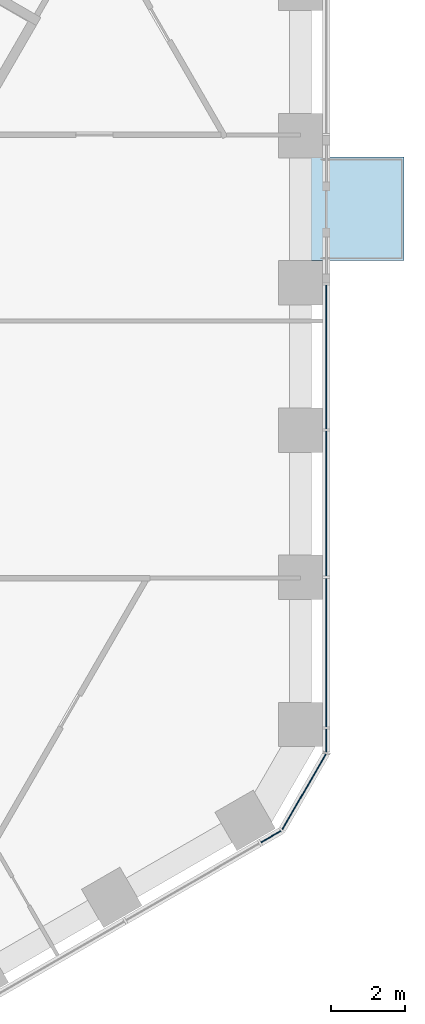
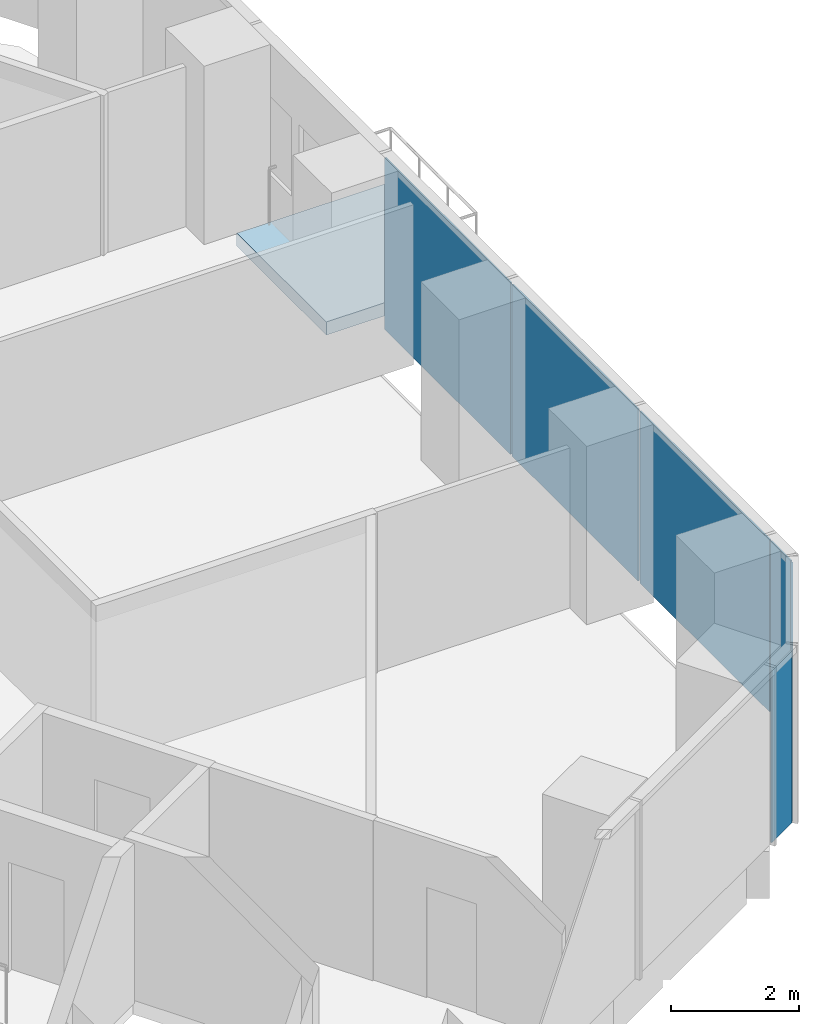
# One storey, part 10 of 19: 6 plates, 1 slab, 2 elements without a shape of their own.
"""IFC4 building model written with IfcOpenShell, lengths in metres."""

from ifc_helpers import new_model, si_unit, direction, frame, origin, origin_2d, place, context, subcontext, project, spatial, polyline, rectangle, outline, extrude, material, layer, layer_set, type_object, element, aggregate, save


model = new_model("IFC4")

# Units and contexts
model_context = context("Model", 3, precision=1e-05, world=origin(), true_north=direction((0.0, 1.0)))
body_context = subcontext(model_context, "Body", "Model", "MODEL_VIEW")
ifc_project = project(units=[si_unit("LENGTHUNIT", "METRE"), si_unit("AREAUNIT", "SQUARE_METRE"), si_unit("VOLUMEUNIT", "CUBIC_METRE"), si_unit("PLANEANGLEUNIT", "RADIAN"), si_unit("MASSUNIT", "GRAM", prefix="KILO")], contexts=[model_context])

# Site, building, storey
site_placement = place(None, origin())
site = spatial("IfcSite", under=ifc_project, at=site_placement, CompositionType="ELEMENT")
building_placement = place(site_placement, origin())
building = spatial("IfcBuilding", under=site, at=building_placement, Name="Ayvan Gate Tower", CompositionType="ELEMENT")
storey_placement = place(building_placement, frame((0.0, 0.0, 39.10009765625)))
storey = spatial("IfcBuildingStorey", under=building, at=storey_placement, Name="L09", CompositionType="ELEMENT", Elevation=39.10009765625)

# Slab
ifc_material_1 = material(Name="Concrete C40/50", Category="concrete")
ifc_layer_1 = layer(ifc_material_1, 0.25)
ifc_layer_set_1 = layer_set([ifc_layer_1], Name="Concrete C40/50")
slab_type = type_object("IfcSlabType", Name="Balcony slab 250", PredefinedType="FLOOR", material=ifc_layer_set_1)
slab_placement = place(storey_placement, frame((0.0, 0.0, -0.25)))
element("IfcSlab", 1, at=slab_placement, inside=storey, type_object=slab_type, Name="Balcony slab BAL-L09-0", PredefinedType="FLOOR", context=body_context, shape_type="SweptSolid", body=[
    extrude(outline(polyline([(20.78466796875, 2.598876953125), (20.78466796875, 5.396240234375), (23.584716796875, 5.396240234375), (23.584716796875, 2.598876953125), (20.78466796875, 2.598876953125)])), origin(), (0.0, 0.0, 1.0), 0.25),
])

# Curtain wall, plates
ifc_material_2 = material(Name="Bronze anodised aluminium", Category="aluminium")
ifc_layer_2 = layer(ifc_material_2, 0.199951171875)
ifc_layer_set_2 = layer_set([ifc_layer_2], Name="Bronze anodised aluminium")
curtain_wall_type_1 = type_object("IfcCurtainWallType", Name="Stick curtain wall CW-1", PredefinedType="NOTDEFINED", material=ifc_layer_set_2)
curtain_wall_1_placement = place(storey_placement, origin())
curtain_wall_1 = element("IfcCurtainWall", 2, at=curtain_wall_1_placement, inside=storey, type_object=curtain_wall_type_1, Name="Stick curtain wall CW-1 L09", PredefinedType="NOTDEFINED")
ifc_material_3 = material(Name="Clear low-iron laminated glass", Category="glass")
ifc_layer_3 = layer(ifc_material_3, 0.028076171875)
ifc_layer_set_3 = layer_set([ifc_layer_3], Name="Clear low-iron laminated glass")
plate_type_1 = type_object("IfcPlateType", Name="Stick curtain wall CW-1 glass panel", PredefinedType="CURTAIN_PANEL", material=ifc_layer_set_3)
plate_1_placement = place(storey_placement, frame((21.484619140625, -8.031005859375, 0.0), z_axis=(0.0, 0.0, 1.0), x_axis=(0.0, 1.0, 0.0)))
plate_1 = element("IfcPlate", 3, at=plate_1_placement, type_object=plate_type_1, Name="CW-1 glass panel 1", PredefinedType="CURTAIN_PANEL", context=body_context, shape_type="SweptSolid", body=[
    extrude(rectangle(XDim=4.050048828125, YDim=0.028076171875, at=origin_2d()), origin(), (0.0, 0.0, 1.0), 3.280029296875),
])
plate_2_placement = place(storey_placement, frame((21.484619140625, -3.98388671875, 0.0), z_axis=(0.0, 0.0, 1.0), x_axis=(0.0, 1.0, 0.0)))
plate_2 = element("IfcPlate", 4, at=plate_2_placement, type_object=plate_type_1, Name="CW-1 glass panel 2", PredefinedType="CURTAIN_PANEL", context=body_context, shape_type="SweptSolid", body=[
    extrude(rectangle(XDim=3.924072265625, YDim=0.028076171875, at=origin_2d()), origin(), (0.0, 0.0, 1.0), 3.280029296875),
])
plate_3_placement = place(storey_placement, frame((21.484619140625, 0.0, 0.0), z_axis=(0.0, 0.0, 1.0), x_axis=(0.0, 1.0, 0.0)))
plate_3 = element("IfcPlate", 5, at=plate_3_placement, type_object=plate_type_1, Name="CW-1 glass panel 3", PredefinedType="CURTAIN_PANEL", context=body_context, shape_type="SweptSolid", body=[
    extrude(rectangle(XDim=3.924072265625, YDim=0.028076171875, at=origin_2d()), origin(), (0.0, 0.0, 1.0), 3.280029296875),
])
aggregate(curtain_wall_1, [plate_1, plate_2, plate_3])

ifc_layer_4 = layer(ifc_material_2, 0.199951171875)
ifc_layer_set_4 = layer_set([ifc_layer_4], Name="Bronze anodised aluminium")
curtain_wall_type_2 = type_object("IfcCurtainWallType", Name="Stick curtain wall CW-6", PredefinedType="NOTDEFINED", material=ifc_layer_set_4)
curtain_wall_2_placement = place(storey_placement, origin())
curtain_wall_2 = element("IfcCurtainWall", 6, at=curtain_wall_2_placement, inside=storey, type_object=curtain_wall_type_2, Name="Stick curtain wall CW-6 L09", PredefinedType="NOTDEFINED")
ifc_layer_5 = layer(ifc_material_3, 0.028076171875)
ifc_layer_set_5 = layer_set([ifc_layer_5], Name="Clear low-iron laminated glass")
plate_type_2 = type_object("IfcPlateType", Name="Stick curtain wall CW-6 glass panel", PredefinedType="CURTAIN_PANEL", material=ifc_layer_set_5)
plate_4_placement = place(storey_placement, frame((19.985107421875, -12.995849609375, 0.0), z_axis=(0.0, 0.0, 1.0), x_axis=(0.866025403784, 0.5, 0.0)))
plate_4 = element("IfcPlate", 7, at=plate_4_placement, type_object=plate_type_2, Name="CW-6 glass panel 1", PredefinedType="CURTAIN_PANEL", context=body_context, shape_type="SweptSolid", body=[
    extrude(rectangle(XDim=0.625, YDim=0.028076171875, at=origin_2d()), origin(), (0.0, 0.0, 1.0), 3.280029296875),
])
plate_5_placement = place(storey_placement, frame((20.880859375, -11.781494140625, 0.0), z_axis=(0.0, 0.0, 1.0), x_axis=(0.5, 0.866025403784, 0.0)))
plate_5 = element("IfcPlate", 8, at=plate_5_placement, type_object=plate_type_2, Name="CW-6 glass panel 2", PredefinedType="CURTAIN_PANEL", context=body_context, shape_type="SweptSolid", body=[
    extrude(rectangle(XDim=2.364501953125, YDim=0.028076171875, at=origin_2d()), origin(), (0.0, 0.0, 1.0), 3.280029296875),
])
plate_6_placement = place(storey_placement, frame((21.484619140625, -10.3984375, 0.0), z_axis=(0.0, 0.0, 1.0), x_axis=(0.0, 1.0, 0.0)))
plate_6 = element("IfcPlate", 9, at=plate_6_placement, type_object=plate_type_2, Name="CW-6 glass panel 3", PredefinedType="CURTAIN_PANEL", context=body_context, shape_type="SweptSolid", body=[
    extrude(rectangle(XDim=0.625, YDim=0.028076171875, at=origin_2d()), origin(), (0.0, 0.0, 1.0), 3.280029296875),
])
aggregate(curtain_wall_2, [plate_4, plate_5, plate_6])

save(model, "model.ifc")
